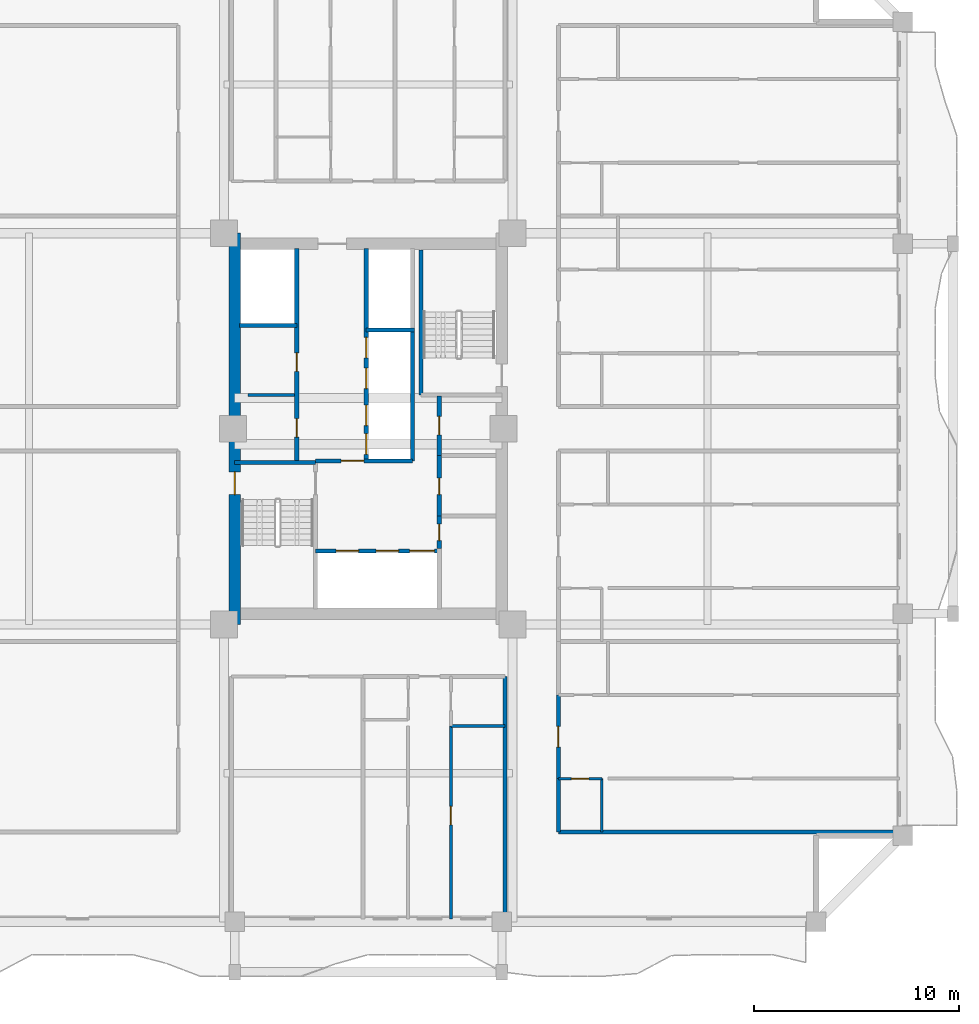
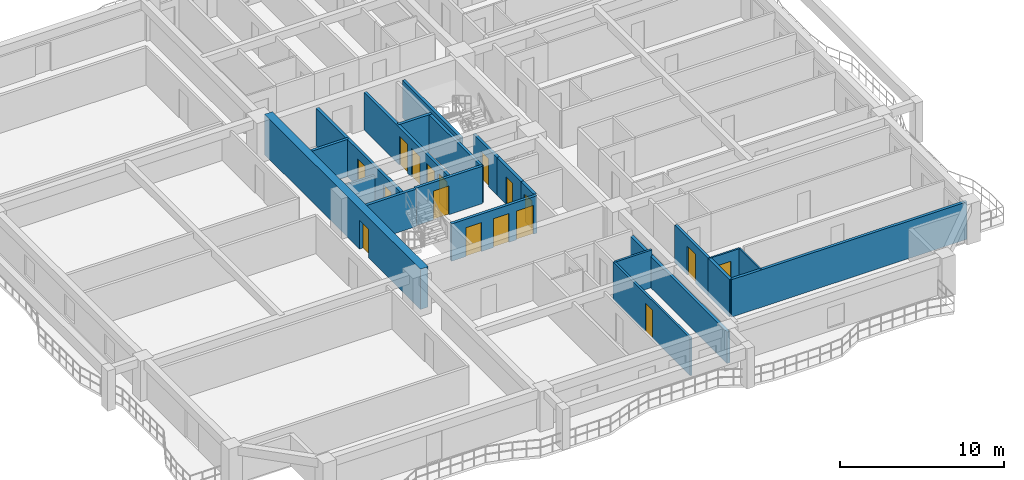
# One storey, part 3 of 12: 22 walls, 17 doors, 17 openings.
"""IFC4 building model written with IfcOpenShell, lengths in metres."""

from ifc_helpers import new_model, si_unit, direction, frame, frame_2d, origin, place, context, subcontext, project, spatial, rectangle, extrude, source, transform, mapped, material, layer, layer_set, type_object, element, fill, save


model = new_model("IFC4")

# Units and contexts
model_context = context("Model", 3, precision=1e-05, world=origin(), true_north=direction((0.0, 1.0)))
body_context = subcontext(model_context, "Body", "Model", "MODEL_VIEW")
ifc_project = project(units=[si_unit("LENGTHUNIT", "METRE"), si_unit("AREAUNIT", "SQUARE_METRE"), si_unit("VOLUMEUNIT", "CUBIC_METRE"), si_unit("PLANEANGLEUNIT", "RADIAN"), si_unit("MASSUNIT", "GRAM", prefix="KILO")], contexts=[model_context])

# Site, building, storey
site_placement = place(None, origin())
site = spatial("IfcSite", under=ifc_project, at=site_placement, CompositionType="ELEMENT")
building_placement = place(site_placement, origin())
building = spatial("IfcBuilding", under=site, at=building_placement, Name="Saelheon Loggia Tower", CompositionType="ELEMENT")
storey_placement = place(building_placement, frame((0.0, 0.0, 95.85009765625)))
storey = spatial("IfcBuildingStorey", under=building, at=storey_placement, Name="L30", CompositionType="ELEMENT", Elevation=95.85009765625)

# Wall, opening, door
ifc_material_1 = material(Name="Concrete C50/60", Category="concrete")
ifc_layer_1 = layer(ifc_material_1, 0.550048828125)
ifc_layer_set_1 = layer_set([ifc_layer_1], Name="Concrete C50/60")
wall_type_1 = type_object("IfcWallType", Name="Wall_CoreShear_550", PredefinedType="SHEAR", material=ifc_layer_set_1)
wall_1_placement = place(storey_placement, frame((31.5, 17.47998046875, 0.0), z_axis=(0.0, 0.0, 1.0), x_axis=(0.0, 1.0, 0.0)))
wall_1 = element("IfcWall", 1, at=wall_1_placement, inside=storey, type_object=wall_type_1, Name="L30 Core Shear Wall West", PredefinedType="SHEAR", context=body_context, shape_type="SweptSolid", body=[
    extrude(rectangle(XDim=19.0400390625, YDim=0.550048828125, at=frame_2d((9.52001953125, 0.0))), origin(), (0.0, 0.0, 1.0), 3.0),
])
opening_1_placement = place(wall_1_placement, frame((6.320068359375, 0.0, 0.0)))
opening_1 = element("IfcOpeningElement", 2, at=opening_1_placement, cuts=wall_1, Name="Opening D-FD2", PredefinedType="OPENING", context=body_context, shape_type="SweptSolid", body=[
    extrude(rectangle(XDim=1.10009765625, YDim=2.14990234375, at=frame_2d((0.550048828125, 1.074951171875))), frame((0.0, 0.287109375, 0.0), z_axis=(0.0, -1.0, 0.0), x_axis=(1.0, 0.0, 0.0)), (0.0, 0.0, 1.0), 0.573974609375),
])
ifc_material_2 = material(Name="Galvanised Steel Fire Door", Category="steel")
door_type_1 = type_object("IfcDoorType", Name="Door_Fire_FD60_1100", OperationType="NOTDEFINED", PredefinedType="DOOR", material=ifc_material_2)
shared_shape_1 = source(origin(), body_context, "Body", "SweptSolid", [
    extrude(rectangle(XDim=1.10009765625, YDim=2.14990234375, at=frame_2d((0.550048828125, 1.074951171875))), frame((0.0, 0.02490234375, 0.0), z_axis=(0.0, -1.0, 0.0), x_axis=(1.0, 0.0, 0.0)), (0.0, 0.0, 1.0), 0.050048828125),
])
door_1_placement = place(opening_1_placement, origin())
door_1 = element("IfcDoor", 3, at=door_1_placement, inside=storey, type_object=door_type_1, Name="L30 Stair ST1 Corridor Door", OperationType="SINGLE_SWING_LEFT", OverallHeight=2.14990234375, OverallWidth=1.10009765625, PredefinedType="DOOR", context=body_context, shape_type="MappedRepresentation", body=[
    mapped(shared_shape_1, transform((0.0, 0.0, 0.0), scale=1.0)),
])
fill(opening_1, door_1)

# Walls
ifc_material_3 = material(Name="Lightweight Autoclaved Aerated Concrete Block and Acoustic Gypsum", Category="concrete")
ifc_layer_2 = layer(ifc_material_3, 0.14990234375)
ifc_layer_set_2 = layer_set([ifc_layer_2], Name="Lightweight Autoclaved Aerated Concrete Block and Acoustic Gypsum")
wall_type_2 = type_object("IfcWallType", Name="Wall_Part_150", PredefinedType="PARTITIONING", material=ifc_layer_set_2)
wall_2_placement = place(storey_placement, frame((32.14990234375, 28.64990234375, 0.0), z_axis=(0.0, 0.0, 1.0), x_axis=(1.0, 0.0, 0.0)))
element("IfcWall", 4, at=wall_2_placement, inside=storey, type_object=wall_type_2, Name="L30 Freed Core Partition PL", PredefinedType="PARTITIONING", context=body_context, shape_type="SweptSolid", body=[
    extrude(rectangle(XDim=2.27001953125, YDim=0.14990234375, at=frame_2d((1.135009765625, 0.0))), origin(), (0.0, 0.0, 1.0), 2.139892578125),
])
wall_3_placement = place(storey_placement, frame((42.02197265625, 12.530029296875, 0.0), z_axis=(0.0, 0.0, 1.0), x_axis=(1.0, 0.0, 0.0)))
element("IfcWall", 5, at=wall_3_placement, inside=storey, type_object=wall_type_2, Name="L30 S Partition V09", PredefinedType="PARTITIONING", context=body_context, shape_type="SweptSolid", body=[
    extrude(rectangle(XDim=2.6279296875, YDim=0.14990234375, at=frame_2d((1.31396484375, 0.0))), origin(), (0.0, 0.0, 1.0), 2.789794921875),
])

# Wall, opening, door
wall_4_placement = place(storey_placement, frame((42.02197265625, 12.530029296875, 0.0), z_axis=(0.0, 0.0, 1.0), x_axis=(0.0, -1.0, 0.0)))
wall_4 = element("IfcWall", 6, at=wall_4_placement, inside=storey, type_object=wall_type_2, Name="L30 S Partition U13", PredefinedType="PARTITIONING", context=body_context, shape_type="SweptSolid", body=[
    extrude(rectangle(XDim=9.380126953125, YDim=0.14990234375, at=frame_2d((4.68994140625, 0.0))), origin(), (0.0, 0.0, 1.0), 2.789794921875),
])
opening_2_placement = place(wall_4_placement, frame((3.90673828125, 0.0, 0.0)))
opening_2 = element("IfcOpeningElement", 7, at=opening_2_placement, cuts=wall_4, Name="Opening D-IN2", PredefinedType="OPENING", context=body_context, shape_type="SweptSolid", body=[
    extrude(rectangle(XDim=0.89990234375, YDim=2.10009765625, at=frame_2d((0.449951171875, 1.050048828125))), frame((0.0, 0.0869140625, 0.0), z_axis=(0.0, -1.0, 0.0), x_axis=(1.0, 0.0, 0.0)), (0.0, 0.0, 1.0), 0.173828125),
])
ifc_material_4 = material(Name="Engineered Oak Flush Door", Category="timber")
door_type_2 = type_object("IfcDoorType", Name="Door_Int_900", OperationType="NOTDEFINED", PredefinedType="DOOR", material=ifc_material_4)
shared_shape_2 = source(origin(), body_context, "Body", "SweptSolid", [
    extrude(rectangle(XDim=0.89990234375, YDim=2.10009765625, at=frame_2d((0.449951171875, 1.050048828125))), frame((0.0, 0.02490234375, 0.0), z_axis=(0.0, -1.0, 0.0), x_axis=(1.0, 0.0, 0.0)), (0.0, 0.0, 1.0), 0.050048828125),
])
door_2_placement = place(opening_2_placement, origin())
door_2 = element("IfcDoor", 8, at=door_2_placement, inside=storey, type_object=door_type_2, Name="Unit U01 Bedroom 1 Door", OperationType="SINGLE_SWING_RIGHT", OverallHeight=2.10009765625, OverallWidth=0.89990234375, PredefinedType="DOOR", context=body_context, shape_type="MappedRepresentation", body=[
    mapped(shared_shape_2, transform((0.0, 0.0, 0.0), scale=1.0)),
])
fill(opening_2, door_2)

# Walls
ifc_material_5 = material(Name="Double Acoustic Stud and Fireboard Partition", Category="gypsum")
ifc_layer_3 = layer(ifc_material_5, 0.199951171875)
ifc_layer_set_3 = layer_set([ifc_layer_3], Name="Double Acoustic Stud and Fireboard Partition")
wall_type_3 = type_object("IfcWallType", Name="Wall_Party_200", PredefinedType="PARTITIONING", material=ifc_layer_set_3)
wall_5_placement = place(storey_placement, frame((44.64990234375, 14.949951171875, 0.0), z_axis=(0.0, 0.0, 1.0), x_axis=(0.0, -1.0, 0.0)))
element("IfcWall", 9, at=wall_5_placement, inside=storey, type_object=wall_type_3, Name="L30 S Partition U02", PredefinedType="PARTITIONING", context=body_context, shape_type="SweptSolid", body=[
    extrude(rectangle(XDim=11.800048828125, YDim=0.199951171875, at=frame_2d((5.89990234375, 0.0))), origin(), (0.0, 0.0, 1.0), 2.33984375),
])
wall_6_placement = place(storey_placement, frame((47.25, 7.3798828125, 0.0), z_axis=(0.0, 0.0, 1.0), x_axis=(1.0, 0.0, 0.0)))
element("IfcWall", 10, at=wall_6_placement, inside=storey, type_object=wall_type_3, Name="L30 ES Partition U01", PredefinedType="PARTITIONING", context=body_context, shape_type="SweptSolid", body=[
    extrude(rectangle(XDim=16.60009765625, YDim=0.199951171875, at=frame_2d((8.300048828125, 0.0))), origin(), (0.0, 0.0, 1.0), 2.789794921875),
])
wall_7_placement = place(storey_placement, frame((47.25, 7.3798828125, 0.0), z_axis=(0.0, 0.0, 1.0), x_axis=(0.0, 1.0, 0.0)))
element("IfcWall", 11, at=wall_7_placement, inside=storey, type_object=wall_type_3, Name="L30 ES Partition V03", PredefinedType="PARTITIONING", context=body_context, shape_type="SweptSolid", body=[
    extrude(rectangle(XDim=2.595703125, YDim=0.199951171875, at=frame_2d((1.2978515625, 0.0))), origin(), (0.0, 0.0, 1.0), 2.789794921875),
])

# Wall, opening, door
wall_8_placement = place(storey_placement, frame((47.25, 9.9755859375, 0.0), z_axis=(0.0, 0.0, 1.0), x_axis=(0.0, 1.0, 0.0)))
wall_8 = element("IfcWall", 12, at=wall_8_placement, inside=storey, type_object=wall_type_3, Name="L30 ES Partition V04", PredefinedType="PARTITIONING", context=body_context, shape_type="SweptSolid", body=[
    extrude(rectangle(XDim=4.074462890625, YDim=0.199951171875, at=frame_2d((2.037109375, 0.0))), origin(), (0.0, 0.0, 1.0), 2.789794921875),
])
opening_3_placement = place(wall_8_placement, frame((1.537109375, 0.0, 0.0)))
opening_3 = element("IfcOpeningElement", 13, at=opening_3_placement, cuts=wall_8, Name="Opening D-FD1", PredefinedType="OPENING", context=body_context, shape_type="SweptSolid", body=[
    extrude(rectangle(XDim=1.0, YDim=2.14990234375, at=frame_2d((0.5, 1.074951171875))), frame((0.0, 0.112060546875, 0.0), z_axis=(0.0, -1.0, 0.0), x_axis=(1.0, 0.0, 0.0)), (0.0, 0.0, 1.0), 0.223876953125),
])
ifc_material_6 = material(Name="Fire-Rated Engineered Timber Entrance Door", Category="wood")
door_type_3 = type_object("IfcDoorType", Name="Door_Flat_FD30S", OperationType="NOTDEFINED", PredefinedType="DOOR", material=ifc_material_6)
shared_shape_3 = source(origin(), body_context, "Body", "SweptSolid", [
    extrude(rectangle(XDim=1.0, YDim=2.14990234375, at=frame_2d((0.5, 1.074951171875))), frame((0.0, 0.02490234375, 0.0), z_axis=(0.0, -1.0, 0.0), x_axis=(1.0, 0.0, 0.0)), (0.0, 0.0, 1.0), 0.050048828125),
])
door_3_placement = place(opening_3_placement, origin())
door_3 = element("IfcDoor", 14, at=door_3_placement, inside=storey, type_object=door_type_3, Name="Unit U04 Entrance Door", OperationType="SINGLE_SWING_RIGHT", OverallHeight=2.14990234375, OverallWidth=1.0, PredefinedType="DOOR", context=body_context, shape_type="MappedRepresentation", body=[
    mapped(shared_shape_3, transform((0.0, 0.0, 0.0), scale=1.0)),
])
fill(opening_3, door_3)

ifc_material_7 = material(Name="Concrete C40/50", Category="concrete")
ifc_layer_4 = layer(ifc_material_7, 0.199951171875)
ifc_layer_set_4 = layer_set([ifc_layer_4], Name="Concrete C40/50")
wall_type_4 = type_object("IfcWallType", Name="Wall_Shaft_200", PredefinedType="PARTITIONING", material=ifc_layer_set_4)
wall_9_placement = place(storey_placement, frame((41.449951171875, 21.179931640625, 0.0), z_axis=(0.0, 0.0, 1.0), x_axis=(0.0, 1.0, 0.0)))
wall_9 = element("IfcWall", 15, at=wall_9_placement, inside=storey, type_object=wall_type_4, Name="CW-INT-L30-BOH-W1", PredefinedType="PARTITIONING", context=body_context, shape_type="SweptSolid", body=[
    extrude(rectangle(XDim=1.570068359375, YDim=0.199951171875, at=frame_2d((0.78515625, 0.0))), origin(), (0.0, 0.0, 1.0), 2.789794921875),
])
opening_4_placement = place(wall_9_placement, frame((0.3798828125, 0.0, 0.0)))
opening_4 = element("IfcOpeningElement", 16, at=opening_4_placement, cuts=wall_9, Name="Opening D-ST1", PredefinedType="OPENING", context=body_context, shape_type="SweptSolid", body=[
    extrude(rectangle(XDim=0.800048828125, YDim=2.050048828125, at=frame_2d((0.39990234375, 1.02490234375))), frame((0.0, 0.112060546875, 0.0), z_axis=(0.0, -1.0, 0.0), x_axis=(1.0, 0.0, 0.0)), (0.0, 0.0, 1.0), 0.223876953125),
])
ifc_material_8 = material(Name="Powder-Coated Steel Store Door", Category="steel")
door_type_4 = type_object("IfcDoorType", Name="Door_Store_800", OperationType="NOTDEFINED", PredefinedType="DOOR", material=ifc_material_8)
shared_shape_4 = source(origin(), body_context, "Body", "SweptSolid", [
    extrude(rectangle(XDim=0.800048828125, YDim=2.050048828125, at=frame_2d((0.39990234375, 1.02490234375))), frame((0.0, 0.02490234375, 0.0), z_axis=(0.0, -1.0, 0.0), x_axis=(1.0, 0.0, 0.0)), (0.0, 0.0, 1.0), 0.050048828125),
])
door_4_placement = place(opening_4_placement, origin())
door_4 = element("IfcDoor", 17, at=door_4_placement, inside=storey, type_object=door_type_4, Name="L30 Cleaner Store Door", OperationType="SINGLE_SWING_RIGHT", OverallHeight=2.050048828125, OverallWidth=0.800048828125, PredefinedType="DOOR", context=body_context, shape_type="MappedRepresentation", body=[
    mapped(shared_shape_4, transform((0.0, 0.0, 0.0), scale=1.0)),
])
fill(opening_4, door_4)

wall_10_placement = place(storey_placement, frame((41.449951171875, 22.75, 0.0), z_axis=(0.0, 0.0, 1.0), x_axis=(0.0, 1.0, 0.0)))
wall_10 = element("IfcWall", 18, at=wall_10_placement, inside=storey, type_object=wall_type_4, Name="CW-INT-L30-BOH-W2", PredefinedType="PARTITIONING", context=body_context, shape_type="SweptSolid", body=[
    extrude(rectangle(XDim=2.949951171875, YDim=0.199951171875, at=frame_2d((1.47509765625, 0.0))), origin(), (0.0, 0.0, 1.0), 2.789794921875),
])
opening_5_placement = place(wall_10_placement, frame((1.050048828125, 0.0, 0.0)))
opening_5 = element("IfcOpeningElement", 19, at=opening_5_placement, cuts=wall_10, Name="Opening D-ST1", PredefinedType="OPENING", context=body_context, shape_type="SweptSolid", body=[
    extrude(rectangle(XDim=0.800048828125, YDim=2.050048828125, at=frame_2d((0.39990234375, 1.02490234375))), frame((0.0, 0.112060546875, 0.0), z_axis=(0.0, -1.0, 0.0), x_axis=(1.0, 0.0, 0.0)), (0.0, 0.0, 1.0), 0.223876953125),
])
door_5_placement = place(opening_5_placement, origin())
door_5 = element("IfcDoor", 20, at=door_5_placement, inside=storey, type_object=door_type_4, Name="L30 Electrical Riser Door", OperationType="SINGLE_SWING_LEFT", OverallHeight=2.050048828125, OverallWidth=0.800048828125, PredefinedType="DOOR", context=body_context, shape_type="MappedRepresentation", body=[
    mapped(shared_shape_4, transform((0.0, 0.0, 0.0), scale=1.0)),
])
fill(opening_5, door_5)

wall_11_placement = place(storey_placement, frame((41.449951171875, 25.699951171875, 0.0), z_axis=(0.0, 0.0, 1.0), x_axis=(0.0, 1.0, 0.0)))
wall_11 = element("IfcWall", 21, at=wall_11_placement, inside=storey, type_object=wall_type_4, Name="CW-INT-L30-BOH-W3", PredefinedType="PARTITIONING", context=body_context, shape_type="SweptSolid", body=[
    extrude(rectangle(XDim=2.900146484375, YDim=0.199951171875, at=frame_2d((1.4501953125, 0.0))), origin(), (0.0, 0.0, 1.0), 2.789794921875),
])
opening_6_placement = place(wall_11_placement, frame((1.0, 0.0, 0.0)))
opening_6 = element("IfcOpeningElement", 22, at=opening_6_placement, cuts=wall_11, Name="Opening D-RS1", PredefinedType="OPENING", context=body_context, shape_type="SweptSolid", body=[
    extrude(rectangle(XDim=0.89990234375, YDim=2.10009765625, at=frame_2d((0.449951171875, 1.050048828125))), frame((0.0, 0.112060546875, 0.0), z_axis=(0.0, -1.0, 0.0), x_axis=(1.0, 0.0, 0.0)), (0.0, 0.0, 1.0), 0.223876953125),
])
ifc_material_9 = material(Name="Galvanised Steel Riser Access Door", Category="steel")
door_type_5 = type_object("IfcDoorType", Name="Door_Riser_FD60", OperationType="NOTDEFINED", PredefinedType="DOOR", material=ifc_material_9)
door_6_placement = place(opening_6_placement, origin())
door_6 = element("IfcDoor", 23, at=door_6_placement, inside=storey, type_object=door_type_5, Name="L30 Floor IT Room Door", OperationType="SINGLE_SWING_RIGHT", OverallHeight=2.10009765625, OverallWidth=0.89990234375, PredefinedType="DOOR", context=body_context, shape_type="MappedRepresentation", body=[
    mapped(shared_shape_2, transform((0.0, 0.0, 0.0), scale=1.0)),
])
fill(opening_6, door_6)

# Wall
wall_12_placement = place(storey_placement, frame((40.14990234375, 25.43994140625, 0.0), z_axis=(0.0, 0.0, 1.0), x_axis=(0.0, 1.0, 0.0)))
element("IfcWall", 24, at=wall_12_placement, inside=storey, type_object=wall_type_4, Name="L30 Core Service Passage West Wall", PredefinedType="PARTITIONING", context=body_context, shape_type="SweptSolid", body=[
    extrude(rectangle(XDim=6.360107421875, YDim=0.199951171875, at=frame_2d((3.18017578125, 0.0))), origin(), (0.0, 0.0, 1.0), 2.789794921875),
])

# Wall, openings, doors
wall_13_placement = place(storey_placement, frame((35.429931640625, 21.06005859375, 0.0), z_axis=(0.0, 0.0, 1.0), x_axis=(1.0, 0.0, 0.0)))
wall_13 = element("IfcWall", 25, at=wall_13_placement, inside=storey, type_object=wall_type_4, Name="L30 Firefighting Lift Shaft Front Wall", PredefinedType="PARTITIONING", context=body_context, shape_type="SweptSolid", body=[
    extrude(rectangle(XDim=6.02001953125, YDim=0.199951171875, at=frame_2d((3.010009765625, 0.0))), origin(), (0.0, 0.0, 1.0), 2.789794921875),
])
opening_7_placement = place(wall_13_placement, frame((1.0, 0.0, 0.0)))
opening_7 = element("IfcOpeningElement", 26, at=opening_7_placement, cuts=wall_13, Name="Opening LD2", PredefinedType="OPENING", context=body_context, shape_type="SweptSolid", body=[
    extrude(rectangle(XDim=1.10009765625, YDim=2.14990234375, at=frame_2d((0.550048828125, 1.074951171875))), frame((0.0, 0.112060546875, 0.0), z_axis=(0.0, -1.0, 0.0), x_axis=(1.0, 0.0, 0.0)), (0.0, 0.0, 1.0), 0.223876953125),
])
opening_8_placement = place(wall_13_placement, frame((2.949951171875, 0.0, 0.0)))
opening_8 = element("IfcOpeningElement", 27, at=opening_8_placement, cuts=wall_13, Name="Opening LD2", PredefinedType="OPENING", context=body_context, shape_type="SweptSolid", body=[
    extrude(rectangle(XDim=1.10009765625, YDim=2.14990234375, at=frame_2d((0.550048828125, 1.074951171875))), frame((0.0, 0.112060546875, 0.0), z_axis=(0.0, -1.0, 0.0), x_axis=(1.0, 0.0, 0.0)), (0.0, 0.0, 1.0), 0.223876953125),
])
opening_9_placement = place(wall_13_placement, frame((4.580078125, 0.0, 0.0)))
opening_9 = element("IfcOpeningElement", 28, at=opening_9_placement, cuts=wall_13, Name="Opening LD3", PredefinedType="OPENING", context=body_context, shape_type="SweptSolid", body=[
    extrude(rectangle(XDim=1.199951171875, YDim=2.14990234375, at=frame_2d((0.60009765625, 1.074951171875))), frame((0.0, 0.112060546875, 0.0), z_axis=(0.0, -1.0, 0.0), x_axis=(1.0, 0.0, 0.0)), (0.0, 0.0, 1.0), 0.223876953125),
])
ifc_material_10 = material(Name="Firefighting Stainless Steel 316 Landing Door", Category="steel")
door_type_6 = type_object("IfcDoorType", Name="Door_Lift_LD2", OperationType="DOUBLE_DOOR_SLIDING", PredefinedType="DOOR", material=ifc_material_10)
door_7_placement = place(opening_7_placement, origin())
door_7 = element("IfcDoor", 29, at=door_7_placement, inside=storey, type_object=door_type_6, Name="L30 FF1 Landing Door", OperationType="DOUBLE_DOOR_SLIDING", OverallHeight=2.14990234375, OverallWidth=1.10009765625, PredefinedType="DOOR", context=body_context, shape_type="MappedRepresentation", body=[
    mapped(shared_shape_1, transform((0.0, 0.0, 0.0), scale=1.0)),
])
fill(opening_7, door_7)
door_8_placement = place(opening_8_placement, origin())
door_8 = element("IfcDoor", 30, at=door_8_placement, inside=storey, type_object=door_type_6, Name="L30 FF2 Landing Door", OperationType="DOUBLE_DOOR_SLIDING", OverallHeight=2.14990234375, OverallWidth=1.10009765625, PredefinedType="DOOR", context=body_context, shape_type="MappedRepresentation", body=[
    mapped(shared_shape_1, transform((0.0, 0.0, 0.0), scale=1.0)),
])
fill(opening_8, door_8)
ifc_material_11 = material(Name="Stretcher Lift Stainless Steel 304 Landing Door", Category="steel")
door_type_7 = type_object("IfcDoorType", Name="Door_Lift_LD3", OperationType="DOUBLE_DOOR_SLIDING", PredefinedType="DOOR", material=ifc_material_11)
shared_shape_5 = source(origin(), body_context, "Body", "SweptSolid", [
    extrude(rectangle(XDim=1.199951171875, YDim=2.14990234375, at=frame_2d((0.60009765625, 1.074951171875))), frame((0.0, 0.02490234375, 0.0), z_axis=(0.0, -1.0, 0.0), x_axis=(1.0, 0.0, 0.0)), (0.0, 0.0, 1.0), 0.050048828125),
])
door_9_placement = place(opening_9_placement, origin())
door_9 = element("IfcDoor", 31, at=door_9_placement, inside=storey, type_object=door_type_7, Name="L30 SV1 Landing Door", OperationType="DOUBLE_DOOR_SLIDING", OverallHeight=2.14990234375, OverallWidth=1.199951171875, PredefinedType="DOOR", context=body_context, shape_type="MappedRepresentation", body=[
    mapped(shared_shape_5, transform((0.0, 0.0, 0.0), scale=1.0)),
])
fill(opening_9, door_9)

# Wall, opening, door
wall_14_placement = place(storey_placement, frame((35.429931640625, 25.43994140625, 0.0), z_axis=(0.0, 0.0, 1.0), x_axis=(1.0, 0.0, 0.0)))
wall_14 = element("IfcWall", 32, at=wall_14_placement, inside=storey, type_object=wall_type_4, Name="L30 Firefighting Lobby Compartment Wall", PredefinedType="PARTITIONING", context=body_context, shape_type="SweptSolid", body=[
    extrude(rectangle(XDim=4.719970703125, YDim=0.199951171875, at=frame_2d((2.35986328125, 0.0))), origin(), (0.0, 0.0, 1.0), 2.789794921875),
])
opening_10_placement = place(wall_14_placement, frame((1.25, 0.0, 0.0)))
opening_10 = element("IfcOpeningElement", 33, at=opening_10_placement, cuts=wall_14, Name="Opening D-FD2", PredefinedType="OPENING", context=body_context, shape_type="SweptSolid", body=[
    extrude(rectangle(XDim=1.10009765625, YDim=2.14990234375, at=frame_2d((0.550048828125, 1.074951171875))), frame((0.0, 0.112060546875, 0.0), z_axis=(0.0, -1.0, 0.0), x_axis=(1.0, 0.0, 0.0)), (0.0, 0.0, 1.0), 0.223876953125),
])
door_10_placement = place(opening_10_placement, origin())
door_10 = element("IfcDoor", 34, at=door_10_placement, inside=storey, type_object=door_type_1, Name="L30 Firefighting Lobby Door", OperationType="SINGLE_SWING_LEFT", OverallHeight=2.14990234375, OverallWidth=1.10009765625, PredefinedType="DOOR", context=body_context, shape_type="MappedRepresentation", body=[
    mapped(shared_shape_1, transform((0.0, 0.0, 0.0), scale=1.0)),
])
fill(opening_10, door_10)

# Wall, openings, doors
wall_15_placement = place(storey_placement, frame((34.52001953125, 25.43994140625, 0.0), z_axis=(0.0, 0.0, 1.0), x_axis=(0.0, 1.0, 0.0)))
wall_15 = element("IfcWall", 35, at=wall_15_placement, inside=storey, type_object=wall_type_4, Name="L30 West Passenger Lift Bank Wall", PredefinedType="PARTITIONING", context=body_context, shape_type="SweptSolid", body=[
    extrude(rectangle(XDim=10.340087890625, YDim=0.199951171875, at=frame_2d((5.169921875, 0.0))), origin(), (0.0, 0.0, 1.0), 2.789794921875),
])
opening_11_placement = place(wall_15_placement, frame((1.14990234375, 0.0, 0.0)))
opening_11 = element("IfcOpeningElement", 36, at=opening_11_placement, cuts=wall_15, Name="Opening D-RS1", PredefinedType="OPENING", context=body_context, shape_type="SweptSolid", body=[
    extrude(rectangle(XDim=0.89990234375, YDim=2.10009765625, at=frame_2d((0.449951171875, 1.050048828125))), frame((0.0, 0.112060546875, 0.0), z_axis=(0.0, -1.0, 0.0), x_axis=(1.0, 0.0, 0.0)), (0.0, 0.0, 1.0), 0.223876953125),
])
opening_12_placement = place(wall_15_placement, frame((4.35009765625, 0.0, 0.0)))
opening_12 = element("IfcOpeningElement", 37, at=opening_12_placement, cuts=wall_15, Name="Opening D-RS1", PredefinedType="OPENING", context=body_context, shape_type="SweptSolid", body=[
    extrude(rectangle(XDim=0.89990234375, YDim=2.10009765625, at=frame_2d((0.449951171875, 1.050048828125))), frame((0.0, 0.112060546875, 0.0), z_axis=(0.0, -1.0, 0.0), x_axis=(1.0, 0.0, 0.0)), (0.0, 0.0, 1.0), 0.223876953125),
])
door_11_placement = place(opening_11_placement, origin())
door_11 = element("IfcDoor", 38, at=door_11_placement, inside=storey, type_object=door_type_5, Name="L30 Parcel Store Door", OperationType="SINGLE_SWING_LEFT", OverallHeight=2.10009765625, OverallWidth=0.89990234375, PredefinedType="DOOR", context=body_context, shape_type="MappedRepresentation", body=[
    mapped(shared_shape_2, transform((0.0, 0.0, 0.0), scale=1.0)),
])
fill(opening_11, door_11)
door_12_placement = place(opening_12_placement, origin())
door_12 = element("IfcDoor", 39, at=door_12_placement, inside=storey, type_object=door_type_5, Name="L30 Smart Metering Door", OperationType="SINGLE_SWING_RIGHT", OverallHeight=2.10009765625, OverallWidth=0.89990234375, PredefinedType="DOOR", context=body_context, shape_type="MappedRepresentation", body=[
    mapped(shared_shape_2, transform((0.0, 0.0, 0.0), scale=1.0)),
])
fill(opening_12, door_12)

# Wall
wall_16_placement = place(storey_placement, frame((31.719970703125, 32.02001953125, 0.0), z_axis=(0.0, 0.0, 1.0), x_axis=(1.0, 0.0, 0.0)))
element("IfcWall", 40, at=wall_16_placement, inside=storey, type_object=wall_type_4, Name="L30 West High-Rise Shaft Divider", PredefinedType="PARTITIONING", context=body_context, shape_type="SweptSolid", body=[
    extrude(rectangle(XDim=2.800048828125, YDim=0.199951171875, at=frame_2d((1.39990234375, 0.0))), origin(), (0.0, 0.0, 1.0), 2.789794921875),
])

# Wall, openings, doors
wall_17_placement = place(storey_placement, frame((37.89990234375, 25.43994140625, 0.0), z_axis=(0.0, 0.0, 1.0), x_axis=(0.0, 1.0, 0.0)))
wall_17 = element("IfcWall", 41, at=wall_17_placement, inside=storey, type_object=wall_type_4, Name="L30 East Passenger Lift Bank Wall", PredefinedType="PARTITIONING", context=body_context, shape_type="SweptSolid", body=[
    extrude(rectangle(XDim=10.340087890625, YDim=0.199951171875, at=frame_2d((5.169921875, 0.0))), origin(), (0.0, 0.0, 1.0), 2.789794921875),
])
opening_13_placement = place(wall_17_placement, frame((0.320068359375, 0.0, 0.0)))
opening_13 = element("IfcOpeningElement", 42, at=opening_13_placement, cuts=wall_17, Name="Opening LD1", PredefinedType="OPENING", context=body_context, shape_type="SweptSolid", body=[
    extrude(rectangle(XDim=1.0, YDim=2.14990234375, at=frame_2d((0.5, 1.074951171875))), frame((0.0, 0.112060546875, 0.0), z_axis=(0.0, -1.0, 0.0), x_axis=(1.0, 0.0, 0.0)), (0.0, 0.0, 1.0), 0.223876953125),
])
opening_14_placement = place(wall_17_placement, frame((1.7099609375, 0.0, 0.0)))
opening_14 = element("IfcOpeningElement", 43, at=opening_14_placement, cuts=wall_17, Name="Opening LD1", PredefinedType="OPENING", context=body_context, shape_type="SweptSolid", body=[
    extrude(rectangle(XDim=1.0, YDim=2.14990234375, at=frame_2d((0.5, 1.074951171875))), frame((0.0, 0.112060546875, 0.0), z_axis=(0.0, -1.0, 0.0), x_axis=(1.0, 0.0, 0.0)), (0.0, 0.0, 1.0), 0.223876953125),
])
opening_15_placement = place(wall_17_placement, frame((3.510009765625, 0.0, 0.0)))
opening_15 = element("IfcOpeningElement", 44, at=opening_15_placement, cuts=wall_17, Name="Opening LD1", PredefinedType="OPENING", context=body_context, shape_type="SweptSolid", body=[
    extrude(rectangle(XDim=1.0, YDim=2.14990234375, at=frame_2d((0.5, 1.074951171875))), frame((0.0, 0.112060546875, 0.0), z_axis=(0.0, -1.0, 0.0), x_axis=(1.0, 0.0, 0.0)), (0.0, 0.0, 1.0), 0.223876953125),
])
opening_16_placement = place(wall_17_placement, frame((5.010009765625, 0.0, 0.0)))
opening_16 = element("IfcOpeningElement", 45, at=opening_16_placement, cuts=wall_17, Name="Opening LD1", PredefinedType="OPENING", context=body_context, shape_type="SweptSolid", body=[
    extrude(rectangle(XDim=1.0, YDim=2.14990234375, at=frame_2d((0.5, 1.074951171875))), frame((0.0, 0.112060546875, 0.0), z_axis=(0.0, -1.0, 0.0), x_axis=(1.0, 0.0, 0.0)), (0.0, 0.0, 1.0), 0.223876953125),
])
ifc_material_12 = material(Name="Brushed Stainless Steel 304 Landing Door", Category="steel")
door_type_8 = type_object("IfcDoorType", Name="Door_Lift_LD1", OperationType="DOUBLE_DOOR_SLIDING", PredefinedType="DOOR", material=ifc_material_12)
door_13_placement = place(opening_13_placement, origin())
door_13 = element("IfcDoor", 46, at=door_13_placement, inside=storey, type_object=door_type_8, Name="L30 PM1 Landing Door", OperationType="DOUBLE_DOOR_SLIDING", OverallHeight=2.14990234375, OverallWidth=1.0, PredefinedType="DOOR", context=body_context, shape_type="MappedRepresentation", body=[
    mapped(shared_shape_3, transform((0.0, 0.0, 0.0), scale=1.0)),
])
fill(opening_13, door_13)
door_14_placement = place(opening_14_placement, origin())
door_14 = element("IfcDoor", 47, at=door_14_placement, inside=storey, type_object=door_type_8, Name="L30 PM2 Landing Door", OperationType="DOUBLE_DOOR_SLIDING", OverallHeight=2.14990234375, OverallWidth=1.0, PredefinedType="DOOR", context=body_context, shape_type="MappedRepresentation", body=[
    mapped(shared_shape_3, transform((0.0, 0.0, 0.0), scale=1.0)),
])
fill(opening_14, door_14)
door_15_placement = place(opening_15_placement, origin())
door_15 = element("IfcDoor", 48, at=door_15_placement, inside=storey, type_object=door_type_8, Name="L30 PM3 Landing Door", OperationType="DOUBLE_DOOR_SLIDING", OverallHeight=2.14990234375, OverallWidth=1.0, PredefinedType="DOOR", context=body_context, shape_type="MappedRepresentation", body=[
    mapped(shared_shape_3, transform((0.0, 0.0, 0.0), scale=1.0)),
])
fill(opening_15, door_15)
door_16_placement = place(opening_16_placement, origin())
door_16 = element("IfcDoor", 49, at=door_16_placement, inside=storey, type_object=door_type_8, Name="L30 PM4 Landing Door", OperationType="DOUBLE_DOOR_SLIDING", OverallHeight=2.14990234375, OverallWidth=1.0, PredefinedType="DOOR", context=body_context, shape_type="MappedRepresentation", body=[
    mapped(shared_shape_3, transform((0.0, 0.0, 0.0), scale=1.0)),
])
fill(opening_16, door_16)

# Walls
wall_18_placement = place(storey_placement, frame((37.89990234375, 31.800048828125, 0.0), z_axis=(0.0, 0.0, 1.0), x_axis=(1.0, 0.0, 0.0)))
element("IfcWall", 50, at=wall_18_placement, inside=storey, type_object=wall_type_4, Name="L30 East High-Rise Shaft Divider", PredefinedType="PARTITIONING", context=body_context, shape_type="SweptSolid", body=[
    extrude(rectangle(XDim=2.35009765625, YDim=0.199951171875, at=frame_2d((1.175048828125, 0.0))), origin(), (0.0, 0.0, 1.0), 2.789794921875),
])
ifc_material_13 = material(Name="Concrete C45/55", Category="concrete")
ifc_layer_5 = layer(ifc_material_13, 0.199951171875)
ifc_layer_set_5 = layer_set([ifc_layer_5], Name="Concrete C45/55")
wall_type_5 = type_object("IfcWallType", Name="Wall_StairShaft_RC200", PredefinedType="SOLIDWALL", material=ifc_layer_set_5)
wall_19_placement = place(storey_placement, frame((31.5, 25.35009765625, 0.0), z_axis=(0.0, 0.0, 1.0), x_axis=(1.0, 0.0, 0.0)))
element("IfcWall", 51, at=wall_19_placement, inside=storey, type_object=wall_type_5, Name="L30 Stair ST1 North Wall", PredefinedType="SOLIDWALL", context=body_context, shape_type="SweptSolid", body=[
    extrude(rectangle(XDim=3.929931640625, YDim=0.199951171875, at=frame_2d((1.96484375, 0.0))), origin(), (0.0, 0.0, 1.0), 2.789794921875),
])
wall_20_placement = place(storey_placement, frame((40.570068359375, 28.64990234375, 0.0), z_axis=(0.0, 0.0, 1.0), x_axis=(0.0, 1.0, 0.0)))
element("IfcWall", 52, at=wall_20_placement, inside=storey, type_object=wall_type_5, Name="L30 Stair ST2 Shaft Wall", PredefinedType="SOLIDWALL", context=body_context, shape_type="SweptSolid", body=[
    extrude(rectangle(XDim=7.050048828125, YDim=0.199951171875, at=frame_2d((3.52490234375, 0.0))), origin(), (0.0, 0.0, 1.0), 2.789794921875),
])
ifc_material_14 = material(Name="Moisture-Resistant Cement Board Partition", Category="gypsum")
ifc_layer_6 = layer(ifc_material_14, 0.1201171875)
ifc_layer_set_6 = layer_set([ifc_layer_6], Name="Moisture-Resistant Cement Board Partition")
wall_type_6 = type_object("IfcWallType", Name="Wall_WetPart_120", PredefinedType="PARTITIONING", material=ifc_layer_set_6)
wall_21_placement = place(storey_placement, frame((49.3701171875, 7.3798828125, 0.0), z_axis=(0.0, 0.0, 1.0), x_axis=(0.0, 1.0, 0.0)))
element("IfcWall", 53, at=wall_21_placement, inside=storey, type_object=wall_type_6, Name="L30 ES Partition V06", PredefinedType="PARTITIONING", context=body_context, shape_type="SweptSolid", body=[
    extrude(rectangle(XDim=2.595703125, YDim=0.1201171875, at=frame_2d((1.2978515625, 0.0))), origin(), (0.0, 0.0, 1.0), 2.789794921875),
])

# Wall, opening, door
wall_22_placement = place(storey_placement, frame((47.25, 9.9755859375, 0.0), z_axis=(0.0, 0.0, 1.0), x_axis=(1.0, 0.0, 0.0)))
wall_22 = element("IfcWall", 54, at=wall_22_placement, inside=storey, type_object=wall_type_6, Name="L30 ES Partition U08", PredefinedType="PARTITIONING", context=body_context, shape_type="SweptSolid", body=[
    extrude(rectangle(XDim=2.1201171875, YDim=0.1201171875, at=frame_2d((1.06005859375, 0.0))), origin(), (0.0, 0.0, 1.0), 2.789794921875),
])
opening_17_placement = place(wall_22_placement, frame((0.635009765625, 0.0, 0.0)))
opening_17 = element("IfcOpeningElement", 55, at=opening_17_placement, cuts=wall_22, Name="Opening D-BT1", PredefinedType="OPENING", context=body_context, shape_type="SweptSolid", body=[
    extrude(rectangle(XDim=0.85009765625, YDim=2.050048828125, at=frame_2d((0.425048828125, 1.02490234375))), frame((0.0, 0.072021484375, 0.0), z_axis=(0.0, -1.0, 0.0), x_axis=(1.0, 0.0, 0.0)), (0.0, 0.0, 1.0), 0.14404296875),
])
ifc_material_15 = material(Name="Moisture-Resistant Laminate Timber Door", Category="wood")
door_type_9 = type_object("IfcDoorType", Name="Door_Bath_850", OperationType="NOTDEFINED", PredefinedType="DOOR", material=ifc_material_15)
shared_shape_6 = source(origin(), body_context, "Body", "SweptSolid", [
    extrude(rectangle(XDim=0.85009765625, YDim=2.050048828125, at=frame_2d((0.425048828125, 1.02490234375))), frame((0.0, 0.02490234375, 0.0), z_axis=(0.0, -1.0, 0.0), x_axis=(1.0, 0.0, 0.0)), (0.0, 0.0, 1.0), 0.050048828125),
])
door_17_placement = place(opening_17_placement, origin())
door_17 = element("IfcDoor", 56, at=door_17_placement, inside=storey, type_object=door_type_9, Name="Unit U04 Bathroom Door", OperationType="SINGLE_SWING_LEFT", OverallHeight=2.050048828125, OverallWidth=0.85009765625, PredefinedType="DOOR", context=body_context, shape_type="MappedRepresentation", body=[
    mapped(shared_shape_6, transform((0.0, 0.0, 0.0), scale=1.0)),
])
fill(opening_17, door_17)

save(model, "model.ifc")
